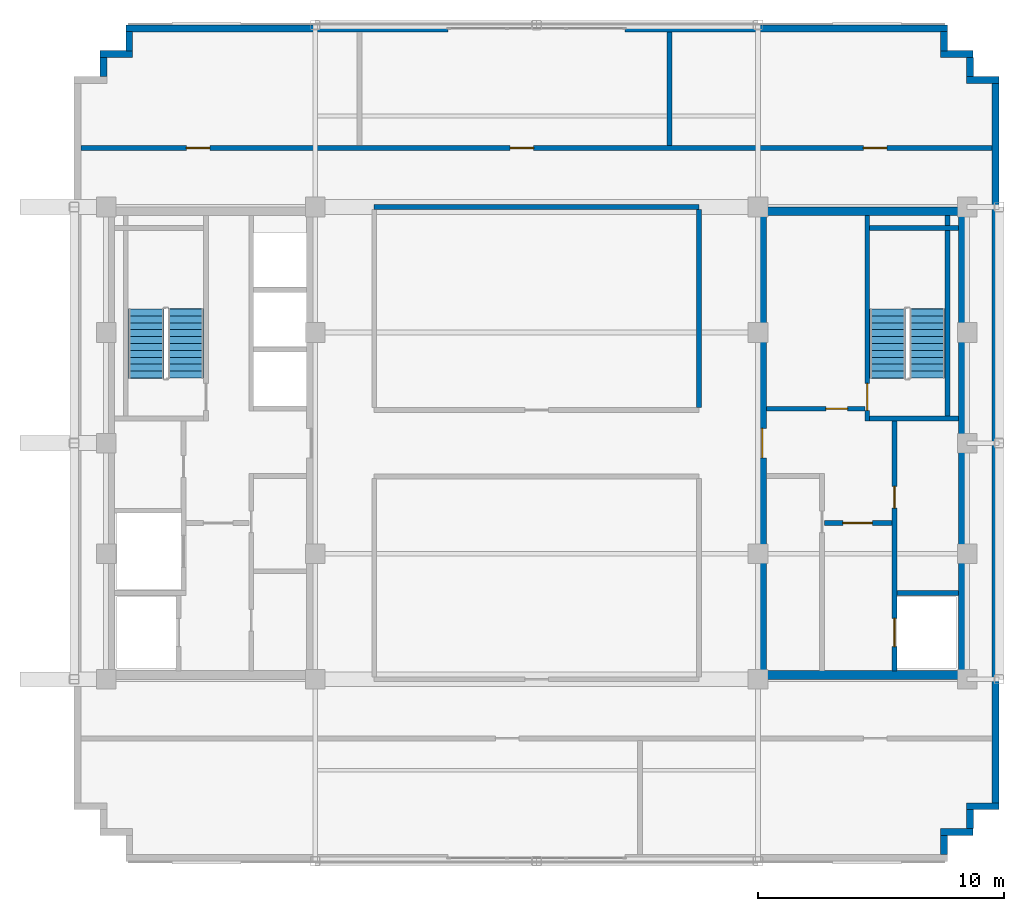
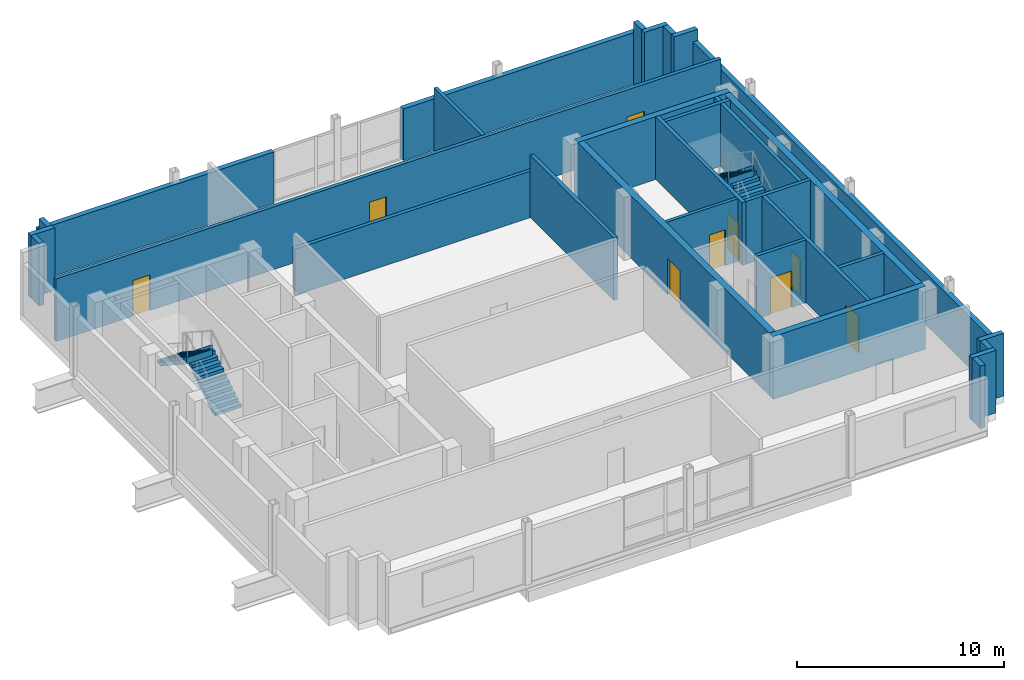
# One storey, part 3 of 9: 30 walls, 9 doors, 4 stair flights, 9 openings, 2 elements without a shape of their own.
"""IFC4 building model written with IfcOpenShell, lengths in metres."""

from ifc_helpers import new_model, si_unit, direction, frame, frame_2d, origin, place, context, subcontext, project, spatial, polyline, rectangle, outline, extrude, source, transform, mapped, material, layer, layer_set, type_object, type_shapes, element, fill, aggregate, save


model = new_model("IFC4")

# Units and contexts
model_context = context("Model", 3, precision=1e-05, world=origin(), true_north=direction((0.0, 1.0)))
body_context = subcontext(model_context, "Body", "Model", "MODEL_VIEW")
ifc_project = project(units=[si_unit("LENGTHUNIT", "METRE"), si_unit("AREAUNIT", "SQUARE_METRE"), si_unit("VOLUMEUNIT", "CUBIC_METRE"), si_unit("PLANEANGLEUNIT", "RADIAN"), si_unit("MASSUNIT", "GRAM", prefix="KILO")], contexts=[model_context])

# Site, building, storey
site_placement = place(None, origin())
site = spatial("IfcSite", under=ifc_project, at=site_placement, CompositionType="ELEMENT")
building_placement = place(site_placement, origin())
building = spatial("IfcBuilding", under=site, at=building_placement, Name="Nuvemarco Arch Tower", CompositionType="ELEMENT")
storey_placement = place(building_placement, frame((0.0, 0.0, 287.14990234375)))
storey = spatial("IfcBuildingStorey", under=building, at=storey_placement, Name="L76", CompositionType="ELEMENT", Elevation=287.14990234375)

# Walls
ifc_material_1 = material(Name="Precast concrete C45/55", Category="concrete")
ifc_layer_1 = layer(ifc_material_1, 0.280029296875, Name="EW-CRN-280")
ifc_layer_set_1 = layer_set([ifc_layer_1], Name="Precast concrete C45/55")
wall_type_1 = type_object("IfcWallType", Name="EW-CRN-280", PredefinedType="STANDARD", material=ifc_layer_set_1)
wall_1_placement = place(storey_placement, frame((16.56005859375, -16.72412109375, 0.0), z_axis=(0.0, 0.0, 1.0), x_axis=(0.0, 1.0, 0.0)))
element("IfcWall", 1, at=wall_1_placement, inside=storey, type_object=wall_type_1, Name="L76 exterior precast facade wall 2", PredefinedType="STANDARD", context=body_context, shape_type="SweptSolid", body=[
    extrude(rectangle(XDim=0.778076171875, YDim=0.280029296875, at=frame_2d((0.38916015625, 0.0))), origin(), (0.0, 0.0, 1.0), 3.690185546875),
])
wall_2_placement = place(storey_placement, frame((16.419921875, -15.81005859375, 0.0), z_axis=(0.0, 0.0, 1.0), x_axis=(1.0, 0.0, 0.0)))
element("IfcWall", 2, at=wall_2_placement, inside=storey, type_object=wall_type_1, Name="L76 exterior precast facade wall 3", PredefinedType="STANDARD", context=body_context, shape_type="SweptSolid", body=[
    extrude(rectangle(XDim=1.330078125, YDim=0.280029296875, at=frame_2d((0.6650390625, 0.0))), origin(), (0.0, 0.0, 1.0), 3.690185546875),
])
wall_3_placement = place(storey_placement, frame((17.610107421875, -15.674072265625, 0.0), z_axis=(0.0, 0.0, 1.0), x_axis=(0.0, 1.0, 0.0)))
element("IfcWall", 3, at=wall_3_placement, inside=storey, type_object=wall_type_1, Name="L76 exterior precast facade wall 4", PredefinedType="STANDARD", context=body_context, shape_type="SweptSolid", body=[
    extrude(rectangle(XDim=0.778076171875, YDim=0.280029296875, at=frame_2d((0.38916015625, 0.0))), origin(), (0.0, 0.0, 1.0), 3.690185546875),
])
wall_4_placement = place(storey_placement, frame((17.469970703125, -14.760009765625, 0.0), z_axis=(0.0, 0.0, 1.0), x_axis=(1.0, 0.0, 0.0)))
element("IfcWall", 4, at=wall_4_placement, inside=storey, type_object=wall_type_1, Name="L76 exterior precast facade wall 5", PredefinedType="STANDARD", context=body_context, shape_type="SweptSolid", body=[
    extrude(rectangle(XDim=1.330078125, YDim=0.280029296875, at=frame_2d((0.6650390625, 0.0))), origin(), (0.0, 0.0, 1.0), 3.690185546875),
])
wall_5_placement = place(storey_placement, frame((18.659912109375, -14.6240234375, 0.0), z_axis=(0.0, 0.0, 1.0), x_axis=(0.0, 1.0, 0.0)))
element("IfcWall", 5, at=wall_5_placement, inside=storey, type_object=wall_type_1, Name="L76 exterior precast facade wall 6", PredefinedType="STANDARD", context=body_context, shape_type="SweptSolid", body=[
    extrude(rectangle(XDim=29.248046875, YDim=0.280029296875, at=frame_2d((14.6240234375, 0.0))), origin(), (0.0, 0.0, 1.0), 3.03515625),
])
wall_6_placement = place(storey_placement, frame((17.469970703125, 14.760009765625, 0.0), z_axis=(0.0, 0.0, 1.0), x_axis=(1.0, 0.0, 0.0)))
element("IfcWall", 6, at=wall_6_placement, inside=storey, type_object=wall_type_1, Name="L76 exterior precast facade wall 7", PredefinedType="STANDARD", context=body_context, shape_type="SweptSolid", body=[
    extrude(rectangle(XDim=1.330078125, YDim=0.280029296875, at=frame_2d((0.6650390625, 0.0))), origin(), (0.0, 0.0, 1.0), 3.690185546875),
])
wall_7_placement = place(storey_placement, frame((17.610107421875, 14.89599609375, 0.0), z_axis=(0.0, 0.0, 1.0), x_axis=(0.0, 1.0, 0.0)))
element("IfcWall", 7, at=wall_7_placement, inside=storey, type_object=wall_type_1, Name="L76 exterior precast facade wall 8", PredefinedType="STANDARD", context=body_context, shape_type="SweptSolid", body=[
    extrude(rectangle(XDim=0.778076171875, YDim=0.280029296875, at=frame_2d((0.38916015625, 0.0))), origin(), (0.0, 0.0, 1.0), 3.690185546875),
])
wall_8_placement = place(storey_placement, frame((16.419921875, 15.81005859375, 0.0), z_axis=(0.0, 0.0, 1.0), x_axis=(1.0, 0.0, 0.0)))
element("IfcWall", 8, at=wall_8_placement, inside=storey, type_object=wall_type_1, Name="L76 exterior precast facade wall 9", PredefinedType="STANDARD", context=body_context, shape_type="SweptSolid", body=[
    extrude(rectangle(XDim=1.330078125, YDim=0.280029296875, at=frame_2d((0.6650390625, 0.0))), origin(), (0.0, 0.0, 1.0), 3.690185546875),
])
wall_9_placement = place(storey_placement, frame((16.56005859375, 15.946044921875, 0.0), z_axis=(0.0, 0.0, 1.0), x_axis=(0.0, 1.0, 0.0)))
element("IfcWall", 9, at=wall_9_placement, inside=storey, type_object=wall_type_1, Name="L76 exterior precast facade wall 10", PredefinedType="STANDARD", context=body_context, shape_type="SweptSolid", body=[
    extrude(rectangle(XDim=0.778076171875, YDim=0.280029296875, at=frame_2d((0.38916015625, 0.0))), origin(), (0.0, 0.0, 1.0), 3.690185546875),
])
for number, where, z_axis, x_axis, name in (
    (10, (-16.699951171875, 16.860107421875, 0.0), (0.0, 0.0, 1.0), (1.0, 0.0, 0.0), "L76 exterior precast pier wall north left"),
    (11, (3.60009765625, 16.860107421875, 0.0), (0.0, 0.0, 1.0), (1.0, 0.0, 0.0), "L76 exterior precast pier wall north right"),
):
    element("IfcWall", number, at=place(storey_placement, frame(where, z_axis=z_axis, x_axis=x_axis)), inside=storey, type_object=wall_type_1, Name=name, PredefinedType="STANDARD", context=body_context, shape_type="SweptSolid", body=[
        extrude(rectangle(XDim=13.099853515625, YDim=0.280029296875, at=frame_2d((6.5498046875, 0.0))), origin(), (0.0, 0.0, 1.0), 3.03515625),
    ])
wall_10_placement = place(storey_placement, frame((-16.56005859375, 15.946044921875, 0.0), z_axis=(0.0, 0.0, 1.0), x_axis=(0.0, 1.0, 0.0)))
element("IfcWall", 12, at=wall_10_placement, inside=storey, type_object=wall_type_1, Name="L76 exterior precast facade wall 12", PredefinedType="STANDARD", context=body_context, shape_type="SweptSolid", body=[
    extrude(rectangle(XDim=0.778076171875, YDim=0.280029296875, at=frame_2d((0.38916015625, 0.0))), origin(), (0.0, 0.0, 1.0), 3.690185546875),
])
wall_11_placement = place(storey_placement, frame((-17.75, 15.81005859375, 0.0), z_axis=(0.0, 0.0, 1.0), x_axis=(1.0, 0.0, 0.0)))
element("IfcWall", 13, at=wall_11_placement, inside=storey, type_object=wall_type_1, Name="L76 exterior precast facade wall 13", PredefinedType="STANDARD", context=body_context, shape_type="SweptSolid", body=[
    extrude(rectangle(XDim=1.330078125, YDim=0.280029296875, at=frame_2d((0.6650390625, 0.0))), origin(), (0.0, 0.0, 1.0), 3.690185546875),
])
wall_12_placement = place(storey_placement, frame((-17.610107421875, 14.89599609375, 0.0), z_axis=(0.0, 0.0, 1.0), x_axis=(0.0, 1.0, 0.0)))
element("IfcWall", 14, at=wall_12_placement, inside=storey, type_object=wall_type_1, Name="L76 exterior precast facade wall 14", PredefinedType="STANDARD", context=body_context, shape_type="SweptSolid", body=[
    extrude(rectangle(XDim=0.778076171875, YDim=0.280029296875, at=frame_2d((0.38916015625, 0.0))), origin(), (0.0, 0.0, 1.0), 3.690185546875),
])
ifc_material_2 = material(Name="Concrete C50/60", Category="concrete")
ifc_layer_2 = layer(ifc_material_2, 0.35009765625, Name="WL-CORE-350")
ifc_layer_set_2 = layer_set([ifc_layer_2], Name="Concrete C50/60")
wall_type_2 = type_object("IfcWallType", Name="WL-CORE-350", PredefinedType="SHEAR", material=ifc_layer_set_2)
for number, where, z_axis, x_axis, name in (
    (15, (9.0, -9.425048828125, 0.0), (0.0, 0.0, 1.0), (1.0, 0.0, 0.0), "L76 E-core shear wall S"),
    (16, (9.0, 9.425048828125, 0.0), (0.0, 0.0, 1.0), (1.0, 0.0, 0.0), "L76 E-core shear wall N"),
):
    element("IfcWall", number, at=place(storey_placement, frame(where, z_axis=z_axis, x_axis=x_axis)), inside=storey, type_object=wall_type_2, Name=name, PredefinedType="SHEAR", context=body_context, shape_type="SweptSolid", body=[
        extrude(rectangle(XDim=8.5, YDim=0.35009765625, at=frame_2d((4.25, 0.0))), origin(), (0.0, 0.0, 1.0), 3.7001953125),
    ])

# Wall, opening, door
wall_13_placement = place(storey_placement, frame((9.175048828125, -9.2548828125, 0.0), z_axis=(0.0, 0.0, 1.0), x_axis=(0.0, 1.0, 0.0)))
wall_13 = element("IfcWall", 17, at=wall_13_placement, inside=storey, type_object=wall_type_2, Name="L76 E-core shear wall W", PredefinedType="SHEAR", context=body_context, shape_type="SweptSolid", body=[
    extrude(rectangle(XDim=18.509765625, YDim=0.35009765625, at=frame_2d((9.2548828125, 0.0))), origin(), (0.0, 0.0, 1.0), 3.7001953125),
])
opening_1_placement = place(wall_13_placement, frame((8.655029296875, 0.0, 0.0)))
opening_1 = element("IfcOpeningElement", 18, at=opening_1_placement, cuts=wall_13, Name="Opening FD-2", PredefinedType="OPENING", context=body_context, shape_type="SweptSolid", body=[
    extrude(rectangle(XDim=1.199951171875, YDim=2.14990234375, at=frame_2d((0.60009765625, 1.074951171875))), frame((0.0, 0.18505859375, 0.0), z_axis=(0.0, -1.0, 0.0), x_axis=(1.0, 0.0, 0.0)), (0.0, 0.0, 1.0), 0.3701171875),
])
ifc_material_3 = material(Name="Anodised steel fire door", Category="steel")
door_type_1 = type_object("IfcDoorType", Name="DR-FFLOB-FD", OperationType="NOTDEFINED", PredefinedType="DOOR", material=ifc_material_3)
shared_shape_1 = source(origin(), body_context, "Body", "SweptSolid", [
    extrude(rectangle(XDim=1.199951171875, YDim=2.14990234375, at=frame_2d((0.60009765625, 1.074951171875))), frame((0.0, 0.02490234375, 0.0), z_axis=(0.0, -1.0, 0.0), x_axis=(1.0, 0.0, 0.0)), (0.0, 0.0, 1.0), 0.050048828125),
])
type_shapes(door_type_1, [shared_shape_1])
door_1_placement = place(opening_1_placement, origin())
door_1 = element("IfcDoor", 19, at=door_1_placement, inside=storey, type_object=door_type_1, Name="L76 door FD-L76-ECORE-W", OperationType="SINGLE_SWING_RIGHT", OverallHeight=2.14990234375, OverallWidth=1.199951171875, PredefinedType="DOOR", context=body_context, shape_type="MappedRepresentation", body=[
    mapped(shared_shape_1, transform((0.0, 0.0, 0.0), scale=1.0)),
])
fill(opening_1, door_1)

# Wall
wall_14_placement = place(storey_placement, frame((17.324951171875, -9.2548828125, 0.0), z_axis=(0.0, 0.0, 1.0), x_axis=(0.0, 1.0, 0.0)))
element("IfcWall", 20, at=wall_14_placement, inside=storey, type_object=wall_type_2, Name="L76 E-core shear wall E", PredefinedType="SHEAR", context=body_context, shape_type="SweptSolid", body=[
    extrude(rectangle(XDim=18.509765625, YDim=0.35009765625, at=frame_2d((9.2548828125, 0.0))), origin(), (0.0, 0.0, 1.0), 3.7001953125),
])

# Wall, opening, door
ifc_material_4 = material(Name="Fire-rated gypsum drywall partition")
ifc_layer_3 = layer(ifc_material_4, 0.179931640625, Name="WL-CORR-180")
ifc_layer_set_3 = layer_set([ifc_layer_3], Name="Fire-rated gypsum drywall partition")
wall_type_3 = type_object("IfcWallType", Name="WL-CORR-180", PredefinedType="PARTITIONING", material=ifc_layer_set_3)
wall_15_placement = place(storey_placement, frame((9.344970703125, 1.39990234375, 0.0), z_axis=(0.0, 0.0, 1.0), x_axis=(1.0, 0.0, 0.0)))
wall_15 = element("IfcWall", 21, at=wall_15_placement, inside=storey, type_object=wall_type_3, Name="L76 interior wall IW-L76-EK-S", PredefinedType="PARTITIONING", context=body_context, shape_type="SweptSolid", body=[
    extrude(rectangle(XDim=4.0, YDim=0.179931640625, at=frame_2d((2.0, 0.0))), origin(), (0.0, 0.0, 1.0), 3.690185546875),
])
opening_2_placement = place(wall_15_placement, frame((2.4150390625, 0.0, 0.0)))
opening_2 = element("IfcOpeningElement", 22, at=opening_2_placement, cuts=wall_15, Name="Opening FD-4", PredefinedType="OPENING", context=body_context, shape_type="SweptSolid", body=[
    extrude(rectangle(XDim=0.8798828125, YDim=2.10009765625, at=frame_2d((0.43994140625, 1.050048828125))), frame((0.0, 0.099853515625, 0.0), z_axis=(0.0, -1.0, 0.0), x_axis=(1.0, 0.0, 0.0)), (0.0, 0.0, 1.0), 0.199951171875),
])
door_type_2 = type_object("IfcDoorType", Name="DR-RISER-FD", OperationType="NOTDEFINED", PredefinedType="DOOR", material=ifc_material_3)
shared_shape_2 = source(origin(), body_context, "Body", "SweptSolid", [
    extrude(rectangle(XDim=0.8798828125, YDim=2.10009765625, at=frame_2d((0.43994140625, 1.050048828125))), frame((0.0, 0.02490234375, 0.0), z_axis=(0.0, -1.0, 0.0), x_axis=(1.0, 0.0, 0.0)), (0.0, 0.0, 1.0), 0.050048828125),
])
type_shapes(door_type_2, [shared_shape_2])
door_2_placement = place(opening_2_placement, origin())
door_2 = element("IfcDoor", 23, at=door_2_placement, inside=storey, type_object=door_type_2, Name="L76 door FD-L76-EK1A", OperationType="SINGLE_SWING_LEFT", OverallHeight=2.10009765625, OverallWidth=0.8798828125, PredefinedType="DOOR", context=body_context, shape_type="MappedRepresentation", body=[
    mapped(shared_shape_2, transform((0.0, 0.0, 0.0), scale=1.0)),
])
fill(opening_2, door_2)

# Wall
ifc_layer_4 = layer(ifc_material_1, 0.199951171875, Name="WL-PLANT-200")
ifc_layer_set_4 = layer_set([ifc_layer_4], Name="Precast concrete C45/55")
wall_type_4 = type_object("IfcWallType", Name="WL-PLANT-200", PredefinedType="STANDARD", material=ifc_layer_set_4)
wall_16_placement = place(storey_placement, frame((-6.60009765625, 9.60009765625, 0.0), z_axis=(0.0, 0.0, 1.0), x_axis=(1.0, 0.0, 0.0)))
element("IfcWall", 24, at=wall_16_placement, inside=storey, type_object=wall_type_4, Name="L76 interior wall IW-L76-005", PredefinedType="STANDARD", context=body_context, shape_type="SweptSolid", body=[
    extrude(rectangle(XDim=13.2001953125, YDim=0.199951171875, at=frame_2d((6.60009765625, 0.0))), origin(), (0.0, 0.0, 1.0), 2.735107421875),
])

# Wall, openings, doors
wall_17_placement = place(storey_placement, frame((-18.52001953125, 12.0, 0.0), z_axis=(0.0, 0.0, 1.0), x_axis=(1.0, 0.0, 0.0)))
wall_17 = element("IfcWall", 25, at=wall_17_placement, inside=storey, type_object=wall_type_4, Name="L76 interior wall IW-L76-006", PredefinedType="STANDARD", context=body_context, shape_type="SweptSolid", body=[
    extrude(rectangle(XDim=37.0400390625, YDim=0.199951171875, at=frame_2d((18.52001953125, 0.0))), origin(), (0.0, 0.0, 1.0), 3.690185546875),
])
opening_3_placement = place(wall_17_placement, frame((17.43994140625, 0.0, 0.0)))
opening_3 = element("IfcOpeningElement", 26, at=opening_3_placement, cuts=wall_17, Name="Opening FD-5", PredefinedType="OPENING", context=body_context, shape_type="SweptSolid", body=[
    extrude(rectangle(XDim=0.9599609375, YDim=2.10009765625, at=frame_2d((0.47998046875, 1.050048828125))), frame((0.0, 0.10986328125, 0.0), z_axis=(0.0, -1.0, 0.0), x_axis=(1.0, 0.0, 0.0)), (0.0, 0.0, 1.0), 0.219970703125),
])
opening_4_placement = place(wall_17_placement, frame((4.280029296875, 0.0, 0.0)))
opening_4 = element("IfcOpeningElement", 27, at=opening_4_placement, cuts=wall_17, Name="Opening FD-5", PredefinedType="OPENING", context=body_context, shape_type="SweptSolid", body=[
    extrude(rectangle(XDim=0.9599609375, YDim=2.10009765625, at=frame_2d((0.47998046875, 1.050048828125))), frame((0.0, 0.10986328125, 0.0), z_axis=(0.0, -1.0, 0.0), x_axis=(1.0, 0.0, 0.0)), (0.0, 0.0, 1.0), 0.219970703125),
])
opening_5_placement = place(wall_17_placement, frame((31.800048828125, 0.0, 0.0)))
opening_5 = element("IfcOpeningElement", 28, at=opening_5_placement, cuts=wall_17, Name="Opening FD-5", PredefinedType="OPENING", context=body_context, shape_type="SweptSolid", body=[
    extrude(rectangle(XDim=0.9599609375, YDim=2.10009765625, at=frame_2d((0.47998046875, 1.050048828125))), frame((0.0, 0.10986328125, 0.0), z_axis=(0.0, -1.0, 0.0), x_axis=(1.0, 0.0, 0.0)), (0.0, 0.0, 1.0), 0.219970703125),
])
ifc_material_5 = material(Name="Timber fire door", Category="wood")
door_type_3 = type_object("IfcDoorType", Name="DR-CORR-FD", OperationType="NOTDEFINED", PredefinedType="DOOR", material=ifc_material_5)
shared_shape_3 = source(origin(), body_context, "Body", "SweptSolid", [
    extrude(rectangle(XDim=0.9599609375, YDim=2.10009765625, at=frame_2d((0.47998046875, 1.050048828125))), frame((0.0, 0.02490234375, 0.0), z_axis=(0.0, -1.0, 0.0), x_axis=(1.0, 0.0, 0.0)), (0.0, 0.0, 1.0), 0.050048828125),
])
type_shapes(door_type_3, [shared_shape_3])
door_3_placement = place(opening_3_placement, origin())
door_3 = element("IfcDoor", 29, at=door_3_placement, inside=storey, type_object=door_type_3, Name="L76 door DR-L76-CRN_OVRN", OperationType="SINGLE_SWING_RIGHT", OverallHeight=2.10009765625, OverallWidth=0.9599609375, PredefinedType="DOOR", context=body_context, shape_type="MappedRepresentation", body=[
    mapped(shared_shape_3, transform((0.0, 0.0, 0.0), scale=1.0)),
])
fill(opening_3, door_3)
door_4_placement = place(opening_4_placement, origin())
door_4 = element("IfcDoor", 30, at=door_4_placement, inside=storey, type_object=door_type_3, Name="L76 door DR-L76-CRN_TMD", OperationType="SINGLE_SWING_LEFT", OverallHeight=2.10009765625, OverallWidth=0.9599609375, PredefinedType="DOOR", context=body_context, shape_type="MappedRepresentation", body=[
    mapped(shared_shape_3, transform((0.0, 0.0, 0.0), scale=1.0)),
])
fill(opening_4, door_4)
door_5_placement = place(opening_5_placement, origin())
door_5 = element("IfcDoor", 31, at=door_5_placement, inside=storey, type_object=door_type_3, Name="L76 door DR-L76-CRN_LMR", OperationType="SINGLE_SWING_RIGHT", OverallHeight=2.10009765625, OverallWidth=0.9599609375, PredefinedType="DOOR", context=body_context, shape_type="MappedRepresentation", body=[
    mapped(shared_shape_3, transform((0.0, 0.0, 0.0), scale=1.0)),
])
fill(opening_5, door_5)

# Walls
wall_18_placement = place(storey_placement, frame((5.39990234375, 12.095947265625, 0.0), z_axis=(0.0, 0.0, 1.0), x_axis=(0.0, 1.0, 0.0)))
element("IfcWall", 32, at=wall_18_placement, inside=storey, type_object=wall_type_4, Name="L76 interior wall IW-L76-011", PredefinedType="STANDARD", context=body_context, shape_type="SweptSolid", body=[
    extrude(rectangle(XDim=4.6240234375, YDim=0.199951171875, at=frame_2d((2.31201171875, 0.0))), origin(), (0.0, 0.0, 1.0), 3.690185546875),
])
wall_19_placement = place(storey_placement, frame((6.60009765625, 1.446044921875, 0.0), z_axis=(0.0, 0.0, 1.0), x_axis=(0.0, 1.0, 0.0)))
element("IfcWall", 33, at=wall_19_placement, inside=storey, type_object=wall_type_4, Name="L76 interior wall IW-L76-013", PredefinedType="STANDARD", context=body_context, shape_type="SweptSolid", body=[
    extrude(rectangle(XDim=8.057861328125, YDim=0.199951171875, at=frame_2d((4.02880859375, 0.0))), origin(), (0.0, 0.0, 1.0), 3.690185546875),
])

# Wall, opening, door
ifc_layer_5 = layer(ifc_material_2, 0.199951171875, Name="WL-SHAFT-220")
ifc_layer_set_5 = layer_set([ifc_layer_5], Name="Concrete C50/60")
wall_type_5 = type_object("IfcWallType", Name="WL-SHAFT-220", PredefinedType="SHEAR", material=ifc_layer_set_5)
wall_20_placement = place(storey_placement, frame((13.43994140625, 0.89990234375, 0.0), z_axis=(0.0, 0.0, 1.0), x_axis=(0.0, 1.0, 0.0)))
wall_20 = element("IfcWall", 34, at=wall_20_placement, inside=storey, type_object=wall_type_5, Name="L76 structural shaft wall SW-L76-E-ST2W", PredefinedType="SHEAR", context=body_context, shape_type="SweptSolid", body=[
    extrude(rectangle(XDim=8.35498046875, YDim=0.199951171875, at=frame_2d((4.177490234375, 0.0))), origin(), (0.0, 0.0, 1.0), 3.7001953125),
])
opening_6_placement = place(wall_20_placement, frame((0.429931640625, 0.0, 0.0)))
opening_6 = element("IfcOpeningElement", 35, at=opening_6_placement, cuts=wall_20, Name="Opening FD-1", PredefinedType="OPENING", context=body_context, shape_type="SweptSolid", body=[
    extrude(rectangle(XDim=1.10009765625, YDim=2.14990234375, at=frame_2d((0.550048828125, 1.074951171875))), frame((0.0, 0.10986328125, 0.0), z_axis=(0.0, -1.0, 0.0), x_axis=(1.0, 0.0, 0.0)), (0.0, 0.0, 1.0), 0.219970703125),
])
door_type_4 = type_object("IfcDoorType", Name="DR-STAIR-FD", OperationType="NOTDEFINED", PredefinedType="DOOR", material=ifc_material_3)
shared_shape_4 = source(origin(), body_context, "Body", "SweptSolid", [
    extrude(rectangle(XDim=1.10009765625, YDim=2.14990234375, at=frame_2d((0.550048828125, 1.074951171875))), frame((0.0, 0.02490234375, 0.0), z_axis=(0.0, -1.0, 0.0), x_axis=(1.0, 0.0, 0.0)), (0.0, 0.0, 1.0), 0.050048828125),
])
type_shapes(door_type_4, [shared_shape_4])
door_6_placement = place(opening_6_placement, origin())
door_6 = element("IfcDoor", 36, at=door_6_placement, inside=storey, type_object=door_type_4, Name="L76 door FD-L76-ST2", OperationType="SINGLE_SWING_LEFT", OverallHeight=2.14990234375, OverallWidth=1.10009765625, PredefinedType="DOOR", context=body_context, shape_type="MappedRepresentation", body=[
    mapped(shared_shape_4, transform((0.0, 0.0, 0.0), scale=1.0)),
])
fill(opening_6, door_6)

# Walls
for number, where, z_axis, x_axis, name in (
    (37, (13.534912109375, 1.0, 0.0), (0.0, 0.0, 1.0), (1.0, 0.0, 0.0), "L76 structural shaft wall SW-L76-E-ST2S"),
    (38, (13.534912109375, 8.75, 0.0), (0.0, 0.0, 1.0), (1.0, 0.0, 0.0), "L76 structural shaft wall SW-L76-E-ST2N"),
):
    element("IfcWall", number, at=place(storey_placement, frame(where, z_axis=z_axis, x_axis=x_axis)), inside=storey, type_object=wall_type_5, Name=name, PredefinedType="SHEAR", context=body_context, shape_type="SweptSolid", body=[
        extrude(rectangle(XDim=3.6201171875, YDim=0.199951171875, at=frame_2d((1.81005859375, 0.0))), origin(), (0.0, 0.0, 1.0), 3.7001953125),
    ])
wall_21_placement = place(storey_placement, frame((16.699951171875, 1.094970703125, 0.0), z_axis=(0.0, 0.0, 1.0), x_axis=(0.0, 1.0, 0.0)))
element("IfcWall", 39, at=wall_21_placement, inside=storey, type_object=wall_type_5, Name="L76 structural shaft wall SW-L76-E-ST2E", PredefinedType="SHEAR", context=body_context, shape_type="SweptSolid", body=[
    extrude(rectangle(XDim=8.159912109375, YDim=0.199951171875, at=frame_2d((4.080078125, 0.0))), origin(), (0.0, 0.0, 1.0), 3.7001953125),
])

# Wall, openings, doors
wall_22_placement = place(storey_placement, frame((14.550048828125, -9.2548828125, 0.0), z_axis=(0.0, 0.0, 1.0), x_axis=(0.0, 1.0, 0.0)))
wall_22 = element("IfcWall", 40, at=wall_22_placement, inside=storey, type_object=wall_type_5, Name="L76 structural shaft wall SW-L76-E-SHW", PredefinedType="SHEAR", context=body_context, shape_type="SweptSolid", body=[
    extrude(rectangle(XDim=10.159912109375, YDim=0.199951171875, at=frame_2d((5.080078125, 0.0))), origin(), (0.0, 0.0, 1.0), 3.7001953125),
])
opening_7_placement = place(wall_22_placement, frame((6.614990234375, 0.0, 0.0)))
opening_7 = element("IfcOpeningElement", 41, at=opening_7_placement, cuts=wall_22, Name="Opening FD-4", PredefinedType="OPENING", context=body_context, shape_type="SweptSolid", body=[
    extrude(rectangle(XDim=0.8798828125, YDim=2.10009765625, at=frame_2d((0.43994140625, 1.050048828125))), frame((0.0, 0.10986328125, 0.0), z_axis=(0.0, -1.0, 0.0), x_axis=(1.0, 0.0, 0.0)), (0.0, 0.0, 1.0), 0.219970703125),
])
opening_8_placement = place(wall_22_placement, frame((0.97998046875, 0.0, 0.0)))
opening_8 = element("IfcOpeningElement", 42, at=opening_8_placement, cuts=wall_22, Name="Opening LD-2", PredefinedType="OPENING", context=body_context, shape_type="SweptSolid", body=[
    extrude(rectangle(XDim=1.14990234375, YDim=2.14990234375, at=frame_2d((0.574951171875, 1.074951171875))), frame((0.0, 0.10986328125, 0.0), z_axis=(0.0, -1.0, 0.0), x_axis=(1.0, 0.0, 0.0)), (0.0, 0.0, 1.0), 0.219970703125),
])
door_7_placement = place(opening_7_placement, origin())
door_7 = element("IfcDoor", 43, at=door_7_placement, inside=storey, type_object=door_type_2, Name="L76 door FD-L76-ERIS", OperationType="SINGLE_SWING_LEFT", OverallHeight=2.10009765625, OverallWidth=0.8798828125, PredefinedType="DOOR", context=body_context, shape_type="MappedRepresentation", body=[
    mapped(shared_shape_2, transform((0.0, 0.0, 0.0), scale=1.0)),
])
fill(opening_7, door_7)
ifc_material_6 = material(Name="Stainless steel lift door", Category="steel")
door_type_5 = type_object("IfcDoorType", Name="DR-LIFT-FIRE", OperationType="DOUBLE_DOOR_SLIDING", PredefinedType="DOOR", material=ifc_material_6)
shared_shape_5 = source(origin(), body_context, "Body", "SweptSolid", [
    extrude(rectangle(XDim=1.14990234375, YDim=2.14990234375, at=frame_2d((0.574951171875, 1.074951171875))), frame((0.0, 0.02490234375, 0.0), z_axis=(0.0, -1.0, 0.0), x_axis=(1.0, 0.0, 0.0)), (0.0, 0.0, 1.0), 0.050048828125),
])
type_shapes(door_type_5, [shared_shape_5])
door_8_placement = place(opening_8_placement, origin())
door_8 = element("IfcDoor", 44, at=door_8_placement, inside=storey, type_object=door_type_5, Name="L76 Lift landing sliding door FFL-2", OperationType="DOUBLE_DOOR_SLIDING", OverallHeight=2.14990234375, OverallWidth=1.14990234375, PredefinedType="DOOR", context=body_context, shape_type="MappedRepresentation", body=[
    mapped(shared_shape_5, transform((0.0, 0.0, 0.0), scale=1.0)),
])
fill(opening_8, door_8)

# Wall
wall_23_placement = place(storey_placement, frame((14.64501953125, -6.10009765625, 0.0), z_axis=(0.0, 0.0, 1.0), x_axis=(1.0, 0.0, 0.0)))
element("IfcWall", 45, at=wall_23_placement, inside=storey, type_object=wall_type_5, Name="L76 structural shaft wall SW-L76-E-SH1", PredefinedType="SHEAR", context=body_context, shape_type="SweptSolid", body=[
    extrude(rectangle(XDim=2.510009765625, YDim=0.199951171875, at=frame_2d((1.2548828125, 0.0))), origin(), (0.0, 0.0, 1.0), 3.7001953125),
])

# Wall, opening, door
wall_24_placement = place(storey_placement, frame((11.695068359375, -3.25, 0.0), z_axis=(0.0, 0.0, 1.0), x_axis=(1.0, 0.0, 0.0)))
wall_24 = element("IfcWall", 46, at=wall_24_placement, inside=storey, type_object=wall_type_5, Name="L76 structural shaft wall SW-L76-E-FFN", PredefinedType="SHEAR", context=body_context, shape_type="SweptSolid", body=[
    extrude(rectangle(XDim=2.760009765625, YDim=0.199951171875, at=frame_2d((1.3798828125, 0.0))), origin(), (0.0, 0.0, 1.0), 3.7001953125),
])
opening_9_placement = place(wall_24_placement, frame((0.7548828125, 0.0, 0.0)))
opening_9 = element("IfcOpeningElement", 47, at=opening_9_placement, cuts=wall_24, Name="Opening FD-2", PredefinedType="OPENING", context=body_context, shape_type="SweptSolid", body=[
    extrude(rectangle(XDim=1.199951171875, YDim=2.14990234375, at=frame_2d((0.60009765625, 1.074951171875))), frame((0.0, 0.10986328125, 0.0), z_axis=(0.0, -1.0, 0.0), x_axis=(1.0, 0.0, 0.0)), (0.0, 0.0, 1.0), 0.219970703125),
])
door_9_placement = place(opening_9_placement, origin())
door_9 = element("IfcDoor", 48, at=door_9_placement, inside=storey, type_object=door_type_1, Name="L76 door FD-L76-EFF2", OperationType="SINGLE_SWING_LEFT", OverallHeight=2.14990234375, OverallWidth=1.199951171875, PredefinedType="DOOR", context=body_context, shape_type="MappedRepresentation", body=[
    mapped(shared_shape_1, transform((0.0, 0.0, 0.0), scale=1.0)),
])
fill(opening_9, door_9)

# Stair, stair flights
stair_type = type_object("IfcStairType", Name="ST-CORE-22R", PredefinedType="HALF_TURN_STAIR", material=ifc_material_1)
stair_1_placement = place(storey_placement, origin())
stair_1 = element("IfcStair", 49, at=stair_1_placement, inside=storey, type_object=stair_type, Name="L76 Protected Exit Stair ST-1", PredefinedType="HALF_TURN_STAIR")
stair_flight_type = type_object("IfcStairFlightType", Name="SF-CORE-22R", PredefinedType="STRAIGHT", material=ifc_material_1)
stair_flight_1_placement = place(storey_placement, frame((-14.264892578125, 2.64990234375, 0.0), z_axis=(0.0, 0.0, 1.0), x_axis=(0.0, 1.0, 0.0)))
stair_flight_1 = element("IfcStairFlight", 50, at=stair_flight_1_placement, type_object=stair_flight_type, Name="ST-22R flight 1", NumberOfRisers=11, NumberOfTreads=10, PredefinedType="STRAIGHT", RiserHeight=0.181818182, TreadLength=0.28, context=body_context, shape_type="SweptSolid", body=[
    extrude(outline(polyline([(0.0, 0.0), (0.0, 0.181884765625), (0.280029296875, 0.181884765625), (0.280029296875, 0.363525390625), (0.56005859375, 0.363525390625), (0.56005859375, 0.54541015625), (0.840087890625, 0.54541015625), (0.840087890625, 0.727294921875), (1.1201171875, 0.727294921875), (1.1201171875, 0.9091796875), (1.39990234375, 0.9091796875), (1.39990234375, 1.0908203125), (1.679931640625, 1.0908203125), (1.679931640625, 1.272705078125), (1.9599609375, 1.272705078125), (1.9599609375, 1.45458984375), (2.239990234375, 1.45458984375), (2.239990234375, 1.636474609375), (2.52001953125, 1.636474609375), (2.52001953125, 1.818115234375), (2.800048828125, 1.818115234375), (2.800048828125, 2.0), (2.820068359375, 2.0), (2.820068359375, 1.62744140625), (0.313720703125, 0.0), (0.0, 0.0)])), frame((0.0, 0.72509765625, 0.0), z_axis=(0.0, -1.0, 0.0), x_axis=(1.0, 0.0, 0.0)), (0.0, 0.0, 1.0), 1.449951171875),
])
stair_flight_2_placement = place(storey_placement, frame((-15.875, 5.449951171875, 2.0), z_axis=(0.0, 0.0, 1.0), x_axis=(0.0, -1.0, 0.0)))
stair_flight_2 = element("IfcStairFlight", 51, at=stair_flight_2_placement, type_object=stair_flight_type, Name="ST-22R flight 2", NumberOfRisers=11, NumberOfTreads=10, PredefinedType="STRAIGHT", RiserHeight=0.181818182, TreadLength=0.28, context=body_context, shape_type="SweptSolid", body=[
    extrude(outline(polyline([(0.0, 0.0), (0.0, 0.181884765625), (0.280029296875, 0.181884765625), (0.280029296875, 0.363525390625), (0.56005859375, 0.363525390625), (0.56005859375, 0.54541015625), (0.840087890625, 0.54541015625), (0.840087890625, 0.727294921875), (1.1201171875, 0.727294921875), (1.1201171875, 0.9091796875), (1.39990234375, 0.9091796875), (1.39990234375, 1.0908203125), (1.679931640625, 1.0908203125), (1.679931640625, 1.272705078125), (1.9599609375, 1.272705078125), (1.9599609375, 1.45458984375), (2.239990234375, 1.45458984375), (2.239990234375, 1.636474609375), (2.52001953125, 1.636474609375), (2.52001953125, 1.818115234375), (2.800048828125, 1.818115234375), (2.800048828125, 2.0), (2.820068359375, 2.0), (2.820068359375, 1.62744140625), (0.313720703125, 0.0), (0.0, 0.0)])), frame((0.0, 0.72509765625, 0.0), z_axis=(0.0, -1.0, 0.0), x_axis=(1.0, 0.0, 0.0)), (0.0, 0.0, 1.0), 1.449951171875),
])
aggregate(stair_1, [stair_flight_1, stair_flight_2])

stair_2_placement = place(storey_placement, origin())
stair_2 = element("IfcStair", 52, at=stair_2_placement, inside=storey, type_object=stair_type, Name="L76 Protected Exit Stair ST-2", PredefinedType="HALF_TURN_STAIR")
stair_flight_3_placement = place(storey_placement, frame((15.875, 2.64990234375, 0.0), z_axis=(0.0, 0.0, 1.0), x_axis=(0.0, 1.0, 0.0)))
stair_flight_3 = element("IfcStairFlight", 53, at=stair_flight_3_placement, type_object=stair_flight_type, Name="ST-22R flight 1", NumberOfRisers=11, NumberOfTreads=10, PredefinedType="STRAIGHT", RiserHeight=0.181818182, TreadLength=0.28, context=body_context, shape_type="SweptSolid", body=[
    extrude(outline(polyline([(0.0, 0.0), (0.0, 0.181884765625), (0.280029296875, 0.181884765625), (0.280029296875, 0.363525390625), (0.56005859375, 0.363525390625), (0.56005859375, 0.54541015625), (0.840087890625, 0.54541015625), (0.840087890625, 0.727294921875), (1.1201171875, 0.727294921875), (1.1201171875, 0.9091796875), (1.39990234375, 0.9091796875), (1.39990234375, 1.0908203125), (1.679931640625, 1.0908203125), (1.679931640625, 1.272705078125), (1.9599609375, 1.272705078125), (1.9599609375, 1.45458984375), (2.239990234375, 1.45458984375), (2.239990234375, 1.636474609375), (2.52001953125, 1.636474609375), (2.52001953125, 1.818115234375), (2.800048828125, 1.818115234375), (2.800048828125, 2.0), (2.820068359375, 2.0), (2.820068359375, 1.62744140625), (0.313720703125, 0.0), (0.0, 0.0)])), frame((0.0, 0.72509765625, 0.0), z_axis=(0.0, -1.0, 0.0), x_axis=(1.0, 0.0, 0.0)), (0.0, 0.0, 1.0), 1.449951171875),
])
stair_flight_4_placement = place(storey_placement, frame((14.264892578125, 5.449951171875, 2.0), z_axis=(0.0, 0.0, 1.0), x_axis=(0.0, -1.0, 0.0)))
stair_flight_4 = element("IfcStairFlight", 54, at=stair_flight_4_placement, type_object=stair_flight_type, Name="ST-22R flight 2", NumberOfRisers=11, NumberOfTreads=10, PredefinedType="STRAIGHT", RiserHeight=0.181818182, TreadLength=0.28, context=body_context, shape_type="SweptSolid", body=[
    extrude(outline(polyline([(0.0, 0.0), (0.0, 0.181884765625), (0.280029296875, 0.181884765625), (0.280029296875, 0.363525390625), (0.56005859375, 0.363525390625), (0.56005859375, 0.54541015625), (0.840087890625, 0.54541015625), (0.840087890625, 0.727294921875), (1.1201171875, 0.727294921875), (1.1201171875, 0.9091796875), (1.39990234375, 0.9091796875), (1.39990234375, 1.0908203125), (1.679931640625, 1.0908203125), (1.679931640625, 1.272705078125), (1.9599609375, 1.272705078125), (1.9599609375, 1.45458984375), (2.239990234375, 1.45458984375), (2.239990234375, 1.636474609375), (2.52001953125, 1.636474609375), (2.52001953125, 1.818115234375), (2.800048828125, 1.818115234375), (2.800048828125, 2.0), (2.820068359375, 2.0), (2.820068359375, 1.62744140625), (0.313720703125, 0.0), (0.0, 0.0)])), frame((0.0, 0.72509765625, 0.0), z_axis=(0.0, -1.0, 0.0), x_axis=(1.0, 0.0, 0.0)), (0.0, 0.0, 1.0), 1.449951171875),
])
aggregate(stair_2, [stair_flight_3, stair_flight_4])

save(model, "model.ifc")
